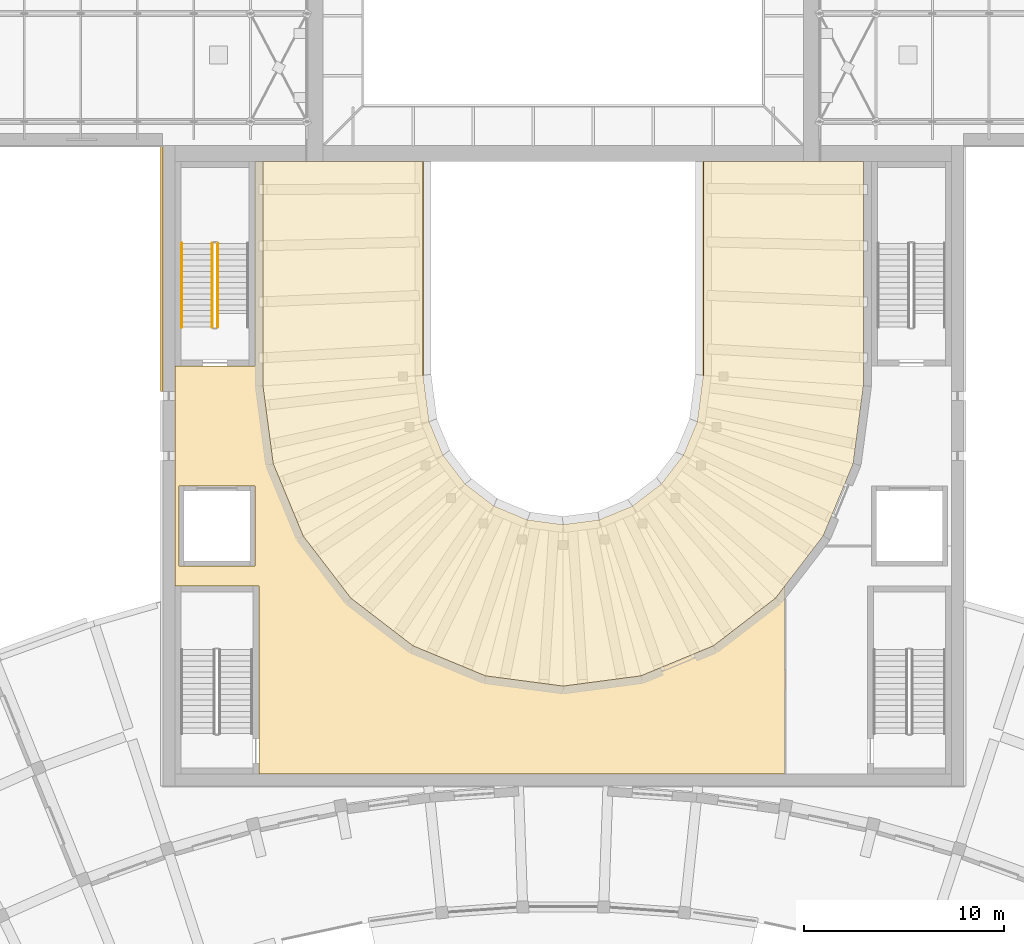
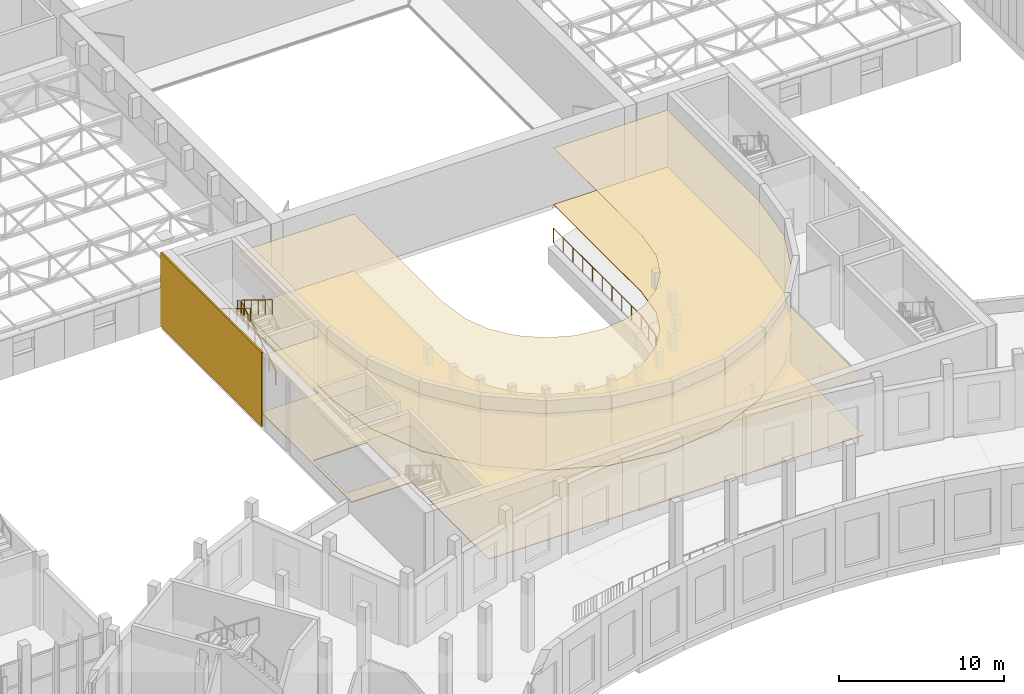
# One storey, part 117 of 132: 5 coverings, 4 railings.
"""IFC4 building model written with IfcOpenShell, lengths in metres."""

import ifcopenshell
import ifcopenshell.guid

model = None  # the IFC model being written
_history = None  # IfcOwnerHistory: only IFC2X3 demands one
_inside = {}  # id of a spatial element -> (the spatial element, [elements in it])
_under = {}  # id of a project, library or spatial element -> (it, [spatial elements below it])
_declared = {}  # id of a project -> (the project, [libraries it declares])
_typed = {}  # id of a type object -> (the type object, [elements of that type])
_made_of = {}  # id of a material, layer set ... -> (it, [elements and type objects made of it])


def new_model(schema):
    """Start an empty IFC model of exactly this schema.

    Asked for "IFC4X3", IfcOpenShell would pick the latest addendum, in which some entities
    have other attributes; the version numbers below select the first issue.
    IFC2X3 requires an IfcOwnerHistory on every rooted entity: one is made here for all.
    """
    global model, _history
    if schema == "IFC4X3":
        model = ifcopenshell.file(schema_version=(4, 3, 0, 0))
    else:
        model = ifcopenshell.file(schema=schema)
    _inside.clear()
    _under.clear()
    _declared.clear()
    _typed.clear()
    _made_of.clear()
    _history = None
    if model.schema == "IFC2X3":
        org = make("IfcOrganization", Name="unknown")
        user = make(
            "IfcPersonAndOrganization",
            ThePerson=make("IfcPerson", FamilyName="unknown"),
            TheOrganization=org,
        )
        app = make(
            "IfcApplication",
            ApplicationDeveloper=org,
            Version="unknown",
            ApplicationFullName="unknown",
            ApplicationIdentifier="unknown",
        )
        _history = make(
            "IfcOwnerHistory",
            OwningUser=user,
            OwningApplication=app,
            ChangeAction="ADDED",
            CreationDate=0,
        )
    return model


def make(cls, **values):
    """One entity of the class cls with the attributes given. An attribute that is None is left unset."""
    return model.create_entity(
        cls, **{name: value for name, value in values.items() if value is not None}
    )


def rooted(cls, **values):
    """An entity with a GlobalId (a new one), such as an element, a storey or a relation."""
    return make(cls, GlobalId=ifcopenshell.guid.new(), OwnerHistory=_history, **values)


def si_unit(unit_type, name, prefix=None):
    """IfcSIUnit, for example si_unit("LENGTHUNIT", "METRE", prefix="MILLI")."""
    return make("IfcSIUnit", UnitType=unit_type, Prefix=prefix, Name=name)


def assignment(units):
    """IfcUnitAssignment: the units of a project."""
    return None if units is None else make("IfcUnitAssignment", Units=units)


def point(xyz):
    """IfcCartesianPoint."""
    return None if xyz is None else make("IfcCartesianPoint", Coordinates=xyz)


def direction(xyz):
    """IfcDirection."""
    return None if xyz is None else make("IfcDirection", DirectionRatios=xyz)


def frame(location, z_axis=None, x_axis=None):
    """IfcAxis2Placement3D, a coordinate frame: its origin and axes. An axis left out is left unset."""
    return make(
        "IfcAxis2Placement3D",
        Location=point(location),
        Axis=direction(z_axis),
        RefDirection=direction(x_axis),
    )


def frame_2d(location, x_axis=None):
    """IfcAxis2Placement2D, a coordinate frame in the plane: its origin and x axis."""
    return make(
        "IfcAxis2Placement2D", Location=point(location), RefDirection=direction(x_axis)
    )


def origin():
    """The frame at (0, 0, 0) with its axes left unset."""
    return frame((0.0, 0.0, 0.0))


def origin_2d():
    """The frame at (0, 0) in the plane with its x axis left unset."""
    return frame_2d((0.0, 0.0))


def place(relative_to, where):
    """IfcLocalPlacement: puts the frame where relative to a parent placement (None: the world)."""
    return make(
        "IfcLocalPlacement", PlacementRelTo=relative_to, RelativePlacement=where
    )


def context(
    kind, dimensions, precision=None, world=None, true_north=None, identifier=None
):
    """IfcGeometricRepresentationContext, for example the 3D "Model" context."""
    return make(
        "IfcGeometricRepresentationContext",
        ContextIdentifier=identifier,
        ContextType=kind,
        CoordinateSpaceDimension=dimensions,
        Precision=precision,
        WorldCoordinateSystem=world,
        TrueNorth=true_north,
    )


def subcontext(parent, identifier, kind, view, scale=None):
    """IfcGeometricRepresentationSubContext, for example "Body" below "Model"."""
    return make(
        "IfcGeometricRepresentationSubContext",
        ContextIdentifier=identifier,
        ContextType=kind,
        ParentContext=parent,
        TargetScale=scale,
        TargetView=view,
    )


def project(units=None, contexts=None):
    """IfcProject with its units and contexts."""
    return rooted(
        "IfcProject",
        Name="project",
        RepresentationContexts=contexts,
        UnitsInContext=assignment(units),
    )


def spatial(cls, under=None, at=None, **own):
    """A site, building, storey or space (cls), placed at a placement, below another one or the project."""
    s = rooted(cls, ObjectPlacement=at, **own)
    if under is not None:
        _under.setdefault(under.id(), (under, []))[1].append(s)
    return s


def polyline(points):
    """IfcPolyline through the points."""
    return make("IfcPolyline", Points=[point(p) for p in points])


def profile(cls, at=None, kind="AREA", **sizes):
    """A parametric profile (cls). Its sizes go by their IFC names, for example OverallWidth=200.0."""
    return make(cls, ProfileType=kind, Position=at, **sizes)


def rectangle(**sizes):
    """IfcRectangleProfileDef."""
    return profile("IfcRectangleProfileDef", **sizes)


def circle(**sizes):
    """IfcCircleProfileDef."""
    return profile("IfcCircleProfileDef", **sizes)


def outline(outer, holes=None, kind="AREA"):
    """IfcArbitraryClosedProfileDef: a profile drawn as a closed curve; with holes, ...WithVoids."""
    if holes is None:
        return make("IfcArbitraryClosedProfileDef", ProfileType=kind, OuterCurve=outer)
    return make(
        "IfcArbitraryProfileDefWithVoids",
        ProfileType=kind,
        OuterCurve=outer,
        InnerCurves=holes,
    )


def extrude(swept, where, along, depth):
    """IfcExtrudedAreaSolid: the profile swept, set in the frame where, extruded along a direction by depth."""
    return make(
        "IfcExtrudedAreaSolid",
        SweptArea=swept,
        Position=where,
        ExtrudedDirection=direction(along),
        Depth=depth,
    )


def shape(context_of_items, identifier, shape_type, items):
    """IfcShapeRepresentation: the items that make up one representation, for example the "Body"."""
    return make(
        "IfcShapeRepresentation",
        ContextOfItems=context_of_items,
        RepresentationIdentifier=identifier,
        RepresentationType=shape_type,
        Items=items,
    )


def material(Name=None, Category=None):
    """IfcMaterial."""
    return make("IfcMaterial", Name=Name, Category=Category)


def layer(
    of_material, thickness, ventilated=None, Name=None, Category=None, Priority=None
):
    """IfcMaterialLayer: one layer of a wall or slab, of a material (None: an air gap)."""
    return make(
        "IfcMaterialLayer",
        Material=of_material,
        LayerThickness=thickness,
        IsVentilated=ventilated,
        Name=Name,
        Category=Category,
        Priority=Priority,
    )


def layer_set(layers, Name=None):
    """IfcMaterialLayerSet."""
    return make("IfcMaterialLayerSet", MaterialLayers=layers, LayerSetName=Name)


def made_of(thing, what):
    """Note that an element or type object is made of a material, layer set ...; save() writes the relation."""
    if what is not None:
        _made_of.setdefault(what.id(), (what, []))[1].append(thing)
    return thing


def type_object(cls, material=None, **own):
    """A type object (cls), such as IfcWallType, which elements share."""
    return made_of(rooted(cls, **own), material)


def element(
    cls,
    number,
    at=None,
    inside=None,
    cuts=None,
    type_object=None,
    material=None,
    context=None,
    identifier="Body",
    shape_type=None,
    held_by="IfcProductDefinitionShape",
    body=None,
    shapes=None,
    **own,
):
    """One element of the class cls, such as IfcWall. Its Tag is "e" and its number.

    at: its placement. inside: the storey or other place that contains it. cuts: it is an
    opening in that element (IfcRelVoidsElement). A single representation is given by context,
    identifier, shape_type and body (its items); several are given by shapes. held_by: the class
    of the entity that holds the representations. save() writes the other relations.
    """
    e = rooted(cls, Tag="e%d" % number, ObjectPlacement=at, **own)
    if body is not None:
        shapes = [shape(context, identifier, shape_type, body)]
    if shapes is not None:
        e.Representation = make(held_by, Representations=shapes)
    if inside is not None:
        _inside.setdefault(inside.id(), (inside, []))[1].append(e)
    if cuts is not None:
        rooted(
            "IfcRelVoidsElement", RelatingBuildingElement=cuts, RelatedOpeningElement=e
        )
    if type_object is not None:
        _typed.setdefault(type_object.id(), (type_object, []))[1].append(e)
    return made_of(e, material)


def aggregate(whole, parts):
    """IfcRelAggregates: a whole, such as a stair, and the parts it consists of."""
    return rooted("IfcRelAggregates", RelatingObject=whole, RelatedObjects=parts)


def save(model, path):
    """Write the relations noted so far, then the file.

    IfcRelAggregates (storeys below a building ...), IfcRelContainedInSpatialStructure (elements
    in a storey), IfcRelDefinesByType, IfcRelAssociatesMaterial and IfcRelDeclares: one each for
    every whole, place, type object, material and project.
    """
    for whole, parts in _under.values():
        aggregate(whole, parts)
    for where, things in _inside.values():
        rooted(
            "IfcRelContainedInSpatialStructure",
            RelatedElements=things,
            RelatingStructure=where,
        )
    for kind, things in _typed.values():
        rooted("IfcRelDefinesByType", RelatedObjects=things, RelatingType=kind)
    for what, things in _made_of.values():
        rooted("IfcRelAssociatesMaterial", RelatedObjects=things, RelatingMaterial=what)
    for by, libraries in _declared.values():
        rooted("IfcRelDeclares", RelatingContext=by, RelatedDefinitions=libraries)
    model.write(path)


model = new_model("IFC4")

# Units and contexts
model_context = context("Model", 3, precision=1e-05, world=origin(), true_north=direction((0.0, 1.0)))
body_context = subcontext(model_context, "Body", "Model", "MODEL_VIEW")
ifc_project = project(units=[si_unit("LENGTHUNIT", "METRE"), si_unit("AREAUNIT", "SQUARE_METRE"), si_unit("VOLUMEUNIT", "CUBIC_METRE"), si_unit("PLANEANGLEUNIT", "RADIAN"), si_unit("MASSUNIT", "GRAM", prefix="KILO")], contexts=[model_context])

# Site, building, storey
site_placement = place(None, origin())
site = spatial("IfcSite", under=ifc_project, at=site_placement, CompositionType="ELEMENT")
building_placement = place(site_placement, origin())
building = spatial("IfcBuilding", under=site, at=building_placement, Name="Lunette Opera House", CompositionType="ELEMENT")
storey_placement = place(building_placement, frame((0.0, 0.0, 17.0)))
storey = spatial("IfcBuildingStorey", under=building, at=storey_placement, Name="L03", CompositionType="ELEMENT", Elevation=17.0)

# Covering
ifc_material_1 = material(Name="Clinker brick", Category="masonry")
ifc_layer_1 = layer(ifc_material_1, 0.114990234375)
ifc_layer_set_1 = layer_set([ifc_layer_1], Name="Clinker brick")
covering_type_1 = type_object("IfcCoveringType", Name="CLINKER CLADDING 115", PredefinedType="CLADDING", material=ifc_layer_set_1)
covering_1_placement = place(storey_placement, frame((75.94189453125, 89.862060546875, 0.0), z_axis=(0.0, 0.0, 1.0), x_axis=(1.0, 0.0, 0.0)))
element("IfcCovering", 1, at=covering_1_placement, inside=storey, type_object=covering_type_1, Name="Clinker cladding WL L03 3", PredefinedType="CLADDING", context=body_context, shape_type="SweptSolid", body=[
    extrude(rectangle(XDim=0.114990234375, YDim=12.27490234375, at=origin_2d()), origin(), (0.0, 0.0, 1.0), 5.5),
])

# Railings
ifc_material_2 = material(Name="Steel S355", Category="steel")
railing_type_1 = type_object("IfcRailingType", Name="STAIR GUARD 1100", PredefinedType="GUARDRAIL", material=ifc_material_2)
railing_1_placement = place(storey_placement, frame((78.72998046875, 86.919921875, 0.171875)))
element("IfcRailing", 2, at=railing_1_placement, inside=storey, type_object=railing_type_1, Name="L03 ST10 stair guard 1", PredefinedType="GUARDRAIL", context=body_context, shape_type="SweptSolid", body=[
    extrude(circle(Radius=0.02392578125, at=origin_2d()), frame((0.0, 0.0, 1.076171875), z_axis=(0.0, 0.852256472501, 0.523124177495), x_axis=(-1.0, 0.0, 0.0)), (0.0, 0.0, 1.0), 4.92822265625),
    extrude(circle(Radius=0.02099609375, at=origin_2d()), origin(), (0.0, 0.0, 1.0), 1.052001953125),
    extrude(circle(Radius=0.02099609375, at=origin_2d()), frame((0.0, 0.840087890625, 0.515625)), (0.0, 0.0, 1.0), 1.052001953125),
    extrude(circle(Radius=0.02099609375, at=origin_2d()), frame((0.0, 1.68017578125, 1.03125)), (0.0, 0.0, 1.0), 1.052001953125),
    extrude(circle(Radius=0.02099609375, at=origin_2d()), frame((0.0, 2.52001953125, 1.546875)), (0.0, 0.0, 1.0), 1.052001953125),
    extrude(circle(Radius=0.02099609375, at=origin_2d()), frame((0.0, 3.360107421875, 2.0625)), (0.0, 0.0, 1.0), 1.052001953125),
    extrude(circle(Radius=0.02099609375, at=origin_2d()), frame((0.0, 4.2001953125, 2.578125)), (0.0, 0.0, 1.0), 1.052001953125),
])
railing_2_placement = place(storey_placement, frame((78.469970703125, 91.1201171875, 2.921875)))
element("IfcRailing", 3, at=railing_2_placement, inside=storey, type_object=railing_type_1, Name="L03 ST10 stair guard 3", PredefinedType="GUARDRAIL", context=body_context, shape_type="SweptSolid", body=[
    extrude(circle(Radius=0.02392578125, at=origin_2d()), frame((0.0, 0.0, 1.076171875), z_axis=(0.0, -0.852256472501, 0.523124177495), x_axis=(1.0, 0.0, 0.0)), (0.0, 0.0, 1.0), 4.92822265625),
    extrude(circle(Radius=0.02099609375, at=origin_2d()), origin(), (0.0, 0.0, 1.0), 1.052001953125),
    extrude(circle(Radius=0.02099609375, at=origin_2d()), frame((0.0, -0.840087890625, 0.515625)), (0.0, 0.0, 1.0), 1.052001953125),
    extrude(circle(Radius=0.02099609375, at=origin_2d()), frame((0.0, -1.68017578125, 1.03125)), (0.0, 0.0, 1.0), 1.052001953125),
    extrude(circle(Radius=0.02099609375, at=origin_2d()), frame((0.0, -2.52001953125, 1.546875)), (0.0, 0.0, 1.0), 1.052001953125),
    extrude(circle(Radius=0.02099609375, at=origin_2d()), frame((0.0, -3.360107421875, 2.0625)), (0.0, 0.0, 1.0), 1.052001953125),
    extrude(circle(Radius=0.02099609375, at=origin_2d()), frame((0.0, -4.2001953125, 2.578125)), (0.0, 0.0, 1.0), 1.052001953125),
])
ifc_material_3 = material(Name="Steel S355", Category="steel")
railing_type_2 = type_object("IfcRailingType", Name="STAIR HANDRAIL 1000", PredefinedType="HANDRAIL", material=ifc_material_3)
railing_3_placement = place(storey_placement, frame((76.949951171875, 91.1201171875, 2.921875)))
element("IfcRailing", 4, at=railing_3_placement, inside=storey, type_object=railing_type_2, Name="L03 ST10 stair handrail 2", PredefinedType="HANDRAIL", context=body_context, shape_type="SweptSolid", body=[
    extrude(circle(Radius=0.02392578125, at=origin_2d()), frame((0.0, 0.0, 0.97607421875), z_axis=(0.0, -0.852256472501, 0.523124177495), x_axis=(1.0, 0.0, 0.0)), (0.0, 0.0, 1.0), 4.92822265625),
    extrude(circle(Radius=0.02099609375, at=origin_2d()), origin(), (0.0, 0.0, 1.0), 0.951904296875),
    extrude(circle(Radius=0.02099609375, at=origin_2d()), frame((0.0, -0.840087890625, 0.515625)), (0.0, 0.0, 1.0), 0.951904296875),
    extrude(circle(Radius=0.02099609375, at=origin_2d()), frame((0.0, -1.68017578125, 1.03125)), (0.0, 0.0, 1.0), 0.951904296875),
    extrude(circle(Radius=0.02099609375, at=origin_2d()), frame((0.0, -2.52001953125, 1.546875)), (0.0, 0.0, 1.0), 0.951904296875),
    extrude(circle(Radius=0.02099609375, at=origin_2d()), frame((0.0, -3.360107421875, 2.0625)), (0.0, 0.0, 1.0), 0.951904296875),
    extrude(circle(Radius=0.02099609375, at=origin_2d()), frame((0.0, -4.2001953125, 2.578125)), (0.0, 0.0, 1.0), 0.951904296875),
])

# Coverings
ifc_material_4 = material(Name="Mineral fibre board")
ifc_layer_2 = layer(ifc_material_4, 0.014892578125)
ifc_layer_set_2 = layer_set([ifc_layer_2], Name="Mineral fibre board")
covering_type_2 = type_object("IfcCoveringType", Name="SUSPENDED ACOUSTIC CEILING 15", PredefinedType="CEILING", material=ifc_layer_set_2)
covering_2_placement = place(storey_placement, frame((0.0, 0.0, 4.235107421875)))
element("IfcCovering", 5, at=covering_2_placement, inside=storey, type_object=covering_type_2, Name="Ceiling Auditorium Second Tier", PredefinedType="CEILING", context=body_context, shape_type="SweptSolid", body=[
    extrude(outline(polyline([(111.0, 84.0), (110.489013671875, 80.117919921875), (108.989990234375, 76.5), (106.60693359375, 73.39306640625), (103.5, 71.010009765625), (99.882080078125, 69.510986328125), (96.0, 69.0), (92.117919921875, 69.510986328125), (88.5, 71.010009765625), (85.39306640625, 73.39306640625), (83.010009765625, 76.5), (81.510986328125, 80.117919921875), (81.0, 84.0), (81.0, 95.199951171875), (89.0, 95.199951171875), (89.0, 84.52392578125), (89.304931640625, 82.2060546875), (89.998046875, 80.534912109375), (91.09912109375, 79.09912109375), (92.534912109375, 77.998046875), (94.2060546875, 77.304931640625), (96.0, 77.069091796875), (97.7939453125, 77.304931640625), (99.465087890625, 77.998046875), (100.90087890625, 79.09912109375), (102.001953125, 80.534912109375), (102.695068359375, 82.2060546875), (103.0, 84.52392578125), (103.0, 95.199951171875), (111.0, 95.199951171875), (111.0, 84.0)])), origin(), (0.0, 0.0, 1.0), 0.014892578125),
])
covering_3_placement = place(storey_placement, frame((0.0, 0.0, 4.235107421875)))
element("IfcCovering", 6, at=covering_3_placement, inside=storey, type_object=covering_type_2, Name="Ceiling Second Tier Promenade", PredefinedType="CEILING", context=body_context, shape_type="SweptSolid", body=[
    extrude(outline(polyline([(80.800048828125, 74.0), (76.60009765625, 74.0), (76.60009765625, 85.0), (80.60009765625, 85.0), (80.60009765625, 95.199951171875), (81.0, 95.199951171875), (81.0, 84.0), (81.510986328125, 80.117919921875), (83.010009765625, 76.5), (85.39306640625, 73.39306640625), (88.5, 71.010009765625), (92.117919921875, 69.510986328125), (96.0, 69.0), (99.882080078125, 69.510986328125), (103.5, 71.010009765625), (106.60693359375, 73.39306640625), (107.0849609375, 74.01611328125), (107.0849609375, 64.60009765625), (80.800048828125, 64.60009765625), (80.800048828125, 74.0)]), holes=[polyline([(80.60009765625, 79.0), (76.800048828125, 79.0), (76.800048828125, 75.0), (80.60009765625, 75.0), (80.60009765625, 79.0)])]), origin(), (0.0, 0.0, 1.0), 0.014892578125),
])
ifc_material_5 = material(Name="Terrazzo")
ifc_layer_3 = layer(ifc_material_5, 0.06005859375)
ifc_layer_set_3 = layer_set([ifc_layer_3], Name="Terrazzo")
covering_type_3 = type_object("IfcCoveringType", Name="TERRAZZO FLOOR FINISH 60", PredefinedType="FLOORING", material=ifc_layer_set_3)
covering_4_placement = place(storey_placement, origin())
element("IfcCovering", 7, at=covering_4_placement, inside=storey, type_object=covering_type_3, Name="Floor finish Second Tier Promenade", PredefinedType="FLOORING", context=body_context, shape_type="SweptSolid", body=[
    extrude(outline(polyline([(80.800048828125, 74.0), (76.60009765625, 74.0), (76.60009765625, 85.0), (80.60009765625, 85.0), (80.60009765625, 95.199951171875), (81.0, 95.199951171875), (81.0, 84.0), (81.510986328125, 80.117919921875), (83.010009765625, 76.5), (85.39306640625, 73.39306640625), (88.5, 71.010009765625), (92.117919921875, 69.510986328125), (96.0, 69.0), (99.882080078125, 69.510986328125), (103.5, 71.010009765625), (106.60693359375, 73.39306640625), (107.0849609375, 74.01611328125), (107.0849609375, 64.60009765625), (80.800048828125, 64.60009765625), (80.800048828125, 74.0)]), holes=[polyline([(80.60009765625, 79.0), (76.800048828125, 79.0), (76.800048828125, 75.0), (80.60009765625, 75.0), (80.60009765625, 79.0)])]), origin(), (0.0, 0.0, 1.0), 0.06005859375),
])

# Railing
ifc_material_6 = material(Name="Steel S355", Category="steel")
railing_type_3 = type_object("IfcRailingType", Name="TIER BALUSTRADE 1100", PredefinedType="BALUSTRADE", material=ifc_material_6)
railing_4_placement = place(storey_placement, frame((89.0, 95.199951171875, -2.800048828125)))
element("IfcRailing", 8, at=railing_4_placement, inside=storey, type_object=railing_type_3, Name="Tier front balustrade 2", PredefinedType="BALUSTRADE", context=body_context, shape_type="SweptSolid", body=[
    extrude(circle(Radius=0.02392578125, at=origin_2d()), frame((0.0, 0.0, 1.076171875), z_axis=(0.0, -1.0, 0.0), x_axis=(1.0, 0.0, 0.0)), (0.0, 0.0, 1.0), 10.676025390625),
    extrude(circle(Radius=0.02392578125, at=origin_2d()), frame((0.0, -10.676025390625, 1.076171875), z_axis=(0.130432901459, -0.99145713887, 0.0), x_axis=(0.99145713887, 0.130432901459, 0.0)), (0.0, 0.0, 1.0), 2.337890625),
    extrude(circle(Radius=0.02392578125, at=origin_2d()), frame((0.304931640625, -12.993896484375, 1.076171875), z_axis=(0.383110510067, -0.923702515465, 0.0), x_axis=(0.923702515465, 0.383110510067, 0.0)), (0.0, 0.0, 1.0), 1.80908203125),
    extrude(circle(Radius=0.02392578125, at=origin_2d()), frame((0.998046875, -14.6650390625, 1.076171875), z_axis=(0.608536347871, -0.793526000406, 0.0), x_axis=(0.793526000406, 0.608536347871, 0.0)), (0.0, 0.0, 1.0), 1.809326171875),
    extrude(circle(Radius=0.02392578125, at=origin_2d()), frame((2.09912109375, -16.100830078125, 1.076171875), z_axis=(0.793526000406, -0.608536347871, 0.0), x_axis=(0.608536347871, 0.793526000406, 0.0)), (0.0, 0.0, 1.0), 1.809326171875),
    extrude(circle(Radius=0.02392578125, at=origin_2d()), frame((3.534912109375, -17.201904296875, 1.076171875), z_axis=(0.923702515465, -0.383110510067, 0.0), x_axis=(0.383110510067, 0.923702515465, 0.0)), (0.0, 0.0, 1.0), 1.80908203125),
    extrude(circle(Radius=0.02392578125, at=origin_2d()), frame((5.2060546875, -17.89501953125, 1.076171875), z_axis=(0.991468985557, -0.130342819821, 0.0), x_axis=(0.130342819821, 0.991468985557, 0.0)), (0.0, 0.0, 1.0), 1.809326171875),
    extrude(circle(Radius=0.02392578125, at=origin_2d()), frame((7.0, -18.130859375, 1.076171875), z_axis=(0.991468985557, 0.130342819821, 0.0), x_axis=(-0.130342819821, 0.991468985557, 0.0)), (0.0, 0.0, 1.0), 1.809326171875),
    extrude(circle(Radius=0.02392578125, at=origin_2d()), frame((8.7939453125, -17.89501953125, 1.076171875), z_axis=(0.923702515465, 0.383110510067, 0.0), x_axis=(-0.383110510067, 0.923702515465, 0.0)), (0.0, 0.0, 1.0), 1.80908203125),
    extrude(circle(Radius=0.02392578125, at=origin_2d()), frame((10.465087890625, -17.201904296875, 1.076171875), z_axis=(0.793526000406, 0.608536347871, 0.0), x_axis=(-0.608536347871, 0.793526000406, 0.0)), (0.0, 0.0, 1.0), 1.809326171875),
    extrude(circle(Radius=0.02392578125, at=origin_2d()), frame((11.90087890625, -16.100830078125, 1.076171875), z_axis=(0.608536347871, 0.793526000406, 0.0), x_axis=(-0.793526000406, 0.608536347871, 0.0)), (0.0, 0.0, 1.0), 1.809326171875),
    extrude(circle(Radius=0.02392578125, at=origin_2d()), frame((13.001953125, -14.6650390625, 1.076171875), z_axis=(0.383110510067, 0.923702515465, 0.0), x_axis=(-0.923702515465, 0.383110510067, 0.0)), (0.0, 0.0, 1.0), 1.80908203125),
    extrude(circle(Radius=0.02392578125, at=origin_2d()), frame((13.695068359375, -12.993896484375, 1.076171875), z_axis=(0.130432901459, 0.99145713887, 0.0), x_axis=(-0.99145713887, 0.130432901459, 0.0)), (0.0, 0.0, 1.0), 2.337890625),
    extrude(circle(Radius=0.02392578125, at=origin_2d()), frame((14.0, -10.676025390625, 1.076171875), z_axis=(0.0, 1.0, 0.0), x_axis=(-1.0, 0.0, 0.0)), (0.0, 0.0, 1.0), 10.676025390625),
    extrude(circle(Radius=0.02099609375, at=origin_2d()), origin(), (0.0, 0.0, 1.0), 1.052001953125),
    extrude(circle(Radius=0.02099609375, at=origin_2d()), frame((0.0, -1.186279296875, 0.0)), (0.0, 0.0, 1.0), 1.052001953125),
    extrude(circle(Radius=0.02099609375, at=origin_2d()), frame((0.0, -2.37255859375, 0.0)), (0.0, 0.0, 1.0), 1.052001953125),
    extrude(circle(Radius=0.02099609375, at=origin_2d()), frame((0.0, -3.55859375, 0.0)), (0.0, 0.0, 1.0), 1.052001953125),
    extrude(circle(Radius=0.02099609375, at=origin_2d()), frame((0.0, -4.744873046875, 0.0)), (0.0, 0.0, 1.0), 1.052001953125),
    extrude(circle(Radius=0.02099609375, at=origin_2d()), frame((0.0, -5.93115234375, 0.0)), (0.0, 0.0, 1.0), 1.052001953125),
    extrude(circle(Radius=0.02099609375, at=origin_2d()), frame((0.0, -7.117431640625, 0.0)), (0.0, 0.0, 1.0), 1.052001953125),
    extrude(circle(Radius=0.02099609375, at=origin_2d()), frame((0.0, -8.303466796875, 0.0)), (0.0, 0.0, 1.0), 1.052001953125),
    extrude(circle(Radius=0.02099609375, at=origin_2d()), frame((0.0, -9.48974609375, 0.0)), (0.0, 0.0, 1.0), 1.052001953125),
    extrude(circle(Radius=0.02099609375, at=origin_2d()), frame((0.0, -10.676025390625, 0.0)), (0.0, 0.0, 1.0), 1.052001953125),
    extrude(circle(Radius=0.02099609375, at=origin_2d()), frame((0.15234375, -11.8349609375, 0.0)), (0.0, 0.0, 1.0), 1.052001953125),
    extrude(circle(Radius=0.02099609375, at=origin_2d()), frame((0.304931640625, -12.993896484375, 0.0)), (0.0, 0.0, 1.0), 1.052001953125),
    extrude(circle(Radius=0.02099609375, at=origin_2d()), frame((0.6513671875, -13.82958984375, 0.0)), (0.0, 0.0, 1.0), 1.052001953125),
    extrude(circle(Radius=0.02099609375, at=origin_2d()), frame((0.998046875, -14.6650390625, 0.0)), (0.0, 0.0, 1.0), 1.052001953125),
    extrude(circle(Radius=0.02099609375, at=origin_2d()), frame((1.548583984375, -15.3828125, 0.0)), (0.0, 0.0, 1.0), 1.052001953125),
    extrude(circle(Radius=0.02099609375, at=origin_2d()), frame((2.09912109375, -16.100830078125, 0.0)), (0.0, 0.0, 1.0), 1.052001953125),
    extrude(circle(Radius=0.02099609375, at=origin_2d()), frame((2.81689453125, -16.6513671875, 0.0)), (0.0, 0.0, 1.0), 1.052001953125),
    extrude(circle(Radius=0.02099609375, at=origin_2d()), frame((3.534912109375, -17.201904296875, 0.0)), (0.0, 0.0, 1.0), 1.052001953125),
    extrude(circle(Radius=0.02099609375, at=origin_2d()), frame((4.37060546875, -17.54833984375, 0.0)), (0.0, 0.0, 1.0), 1.052001953125),
    extrude(circle(Radius=0.02099609375, at=origin_2d()), frame((5.2060546875, -17.89501953125, 0.0)), (0.0, 0.0, 1.0), 1.052001953125),
    extrude(circle(Radius=0.02099609375, at=origin_2d()), frame((6.10302734375, -18.012939453125, 0.0)), (0.0, 0.0, 1.0), 1.052001953125),
    extrude(circle(Radius=0.02099609375, at=origin_2d()), frame((7.0, -18.130859375, 0.0)), (0.0, 0.0, 1.0), 1.052001953125),
    extrude(circle(Radius=0.02099609375, at=origin_2d()), frame((7.89697265625, -18.012939453125, 0.0)), (0.0, 0.0, 1.0), 1.052001953125),
    extrude(circle(Radius=0.02099609375, at=origin_2d()), frame((8.7939453125, -17.89501953125, 0.0)), (0.0, 0.0, 1.0), 1.052001953125),
    extrude(circle(Radius=0.02099609375, at=origin_2d()), frame((9.62939453125, -17.54833984375, 0.0)), (0.0, 0.0, 1.0), 1.052001953125),
    extrude(circle(Radius=0.02099609375, at=origin_2d()), frame((10.465087890625, -17.201904296875, 0.0)), (0.0, 0.0, 1.0), 1.052001953125),
    extrude(circle(Radius=0.02099609375, at=origin_2d()), frame((11.18310546875, -16.6513671875, 0.0)), (0.0, 0.0, 1.0), 1.052001953125),
    extrude(circle(Radius=0.02099609375, at=origin_2d()), frame((11.90087890625, -16.100830078125, 0.0)), (0.0, 0.0, 1.0), 1.052001953125),
    extrude(circle(Radius=0.02099609375, at=origin_2d()), frame((12.451416015625, -15.3828125, 0.0)), (0.0, 0.0, 1.0), 1.052001953125),
    extrude(circle(Radius=0.02099609375, at=origin_2d()), frame((13.001953125, -14.6650390625, 0.0)), (0.0, 0.0, 1.0), 1.052001953125),
    extrude(circle(Radius=0.02099609375, at=origin_2d()), frame((13.3486328125, -13.82958984375, 0.0)), (0.0, 0.0, 1.0), 1.052001953125),
    extrude(circle(Radius=0.02099609375, at=origin_2d()), frame((13.695068359375, -12.993896484375, 0.0)), (0.0, 0.0, 1.0), 1.052001953125),
    extrude(circle(Radius=0.02099609375, at=origin_2d()), frame((13.84765625, -11.8349609375, 0.0)), (0.0, 0.0, 1.0), 1.052001953125),
    extrude(circle(Radius=0.02099609375, at=origin_2d()), frame((14.0, -10.676025390625, 0.0)), (0.0, 0.0, 1.0), 1.052001953125),
    extrude(circle(Radius=0.02099609375, at=origin_2d()), frame((14.0, -9.48974609375, 0.0)), (0.0, 0.0, 1.0), 1.052001953125),
    extrude(circle(Radius=0.02099609375, at=origin_2d()), frame((14.0, -8.303466796875, 0.0)), (0.0, 0.0, 1.0), 1.052001953125),
    extrude(circle(Radius=0.02099609375, at=origin_2d()), frame((14.0, -7.117431640625, 0.0)), (0.0, 0.0, 1.0), 1.052001953125),
    extrude(circle(Radius=0.02099609375, at=origin_2d()), frame((14.0, -5.93115234375, 0.0)), (0.0, 0.0, 1.0), 1.052001953125),
    extrude(circle(Radius=0.02099609375, at=origin_2d()), frame((14.0, -4.744873046875, 0.0)), (0.0, 0.0, 1.0), 1.052001953125),
    extrude(circle(Radius=0.02099609375, at=origin_2d()), frame((14.0, -3.55859375, 0.0)), (0.0, 0.0, 1.0), 1.052001953125),
    extrude(circle(Radius=0.02099609375, at=origin_2d()), frame((14.0, -2.37255859375, 0.0)), (0.0, 0.0, 1.0), 1.052001953125),
    extrude(circle(Radius=0.02099609375, at=origin_2d()), frame((14.0, -1.186279296875, 0.0)), (0.0, 0.0, 1.0), 1.052001953125),
    extrude(circle(Radius=0.02099609375, at=origin_2d()), frame((14.0, 0.0, 0.0)), (0.0, 0.0, 1.0), 1.052001953125),
])

# Covering
ifc_material_7 = material(Name="Timber", Category="wood")
ifc_layer_4 = layer(ifc_material_7, 0.0400390625)
ifc_layer_set_4 = layer_set([ifc_layer_4], Name="Timber")
covering_type_4 = type_object("IfcCoveringType", Name="TIMBER FLOOR FINISH 40", PredefinedType="FLOORING", material=ifc_layer_set_4)
covering_5_placement = place(storey_placement, origin())
element("IfcCovering", 9, at=covering_5_placement, inside=storey, type_object=covering_type_4, Name="Floor finish Auditorium Second Tier", PredefinedType="FLOORING", context=body_context, shape_type="SweptSolid", body=[
    extrude(outline(polyline([(111.0, 84.0), (110.489013671875, 80.117919921875), (108.989990234375, 76.5), (106.60693359375, 73.39306640625), (103.5, 71.010009765625), (99.882080078125, 69.510986328125), (96.0, 69.0), (92.117919921875, 69.510986328125), (88.5, 71.010009765625), (85.39306640625, 73.39306640625), (83.010009765625, 76.5), (81.510986328125, 80.117919921875), (81.0, 84.0), (81.0, 95.199951171875), (89.0, 95.199951171875), (89.0, 84.52392578125), (89.304931640625, 82.2060546875), (89.998046875, 80.534912109375), (91.09912109375, 79.09912109375), (92.534912109375, 77.998046875), (94.2060546875, 77.304931640625), (96.0, 77.069091796875), (97.7939453125, 77.304931640625), (99.465087890625, 77.998046875), (100.90087890625, 79.09912109375), (102.001953125, 80.534912109375), (102.695068359375, 82.2060546875), (103.0, 84.52392578125), (103.0, 95.199951171875), (111.0, 95.199951171875), (111.0, 84.0)])), origin(), (0.0, 0.0, 1.0), 0.0400390625),
])

save(model, "model.ifc")
